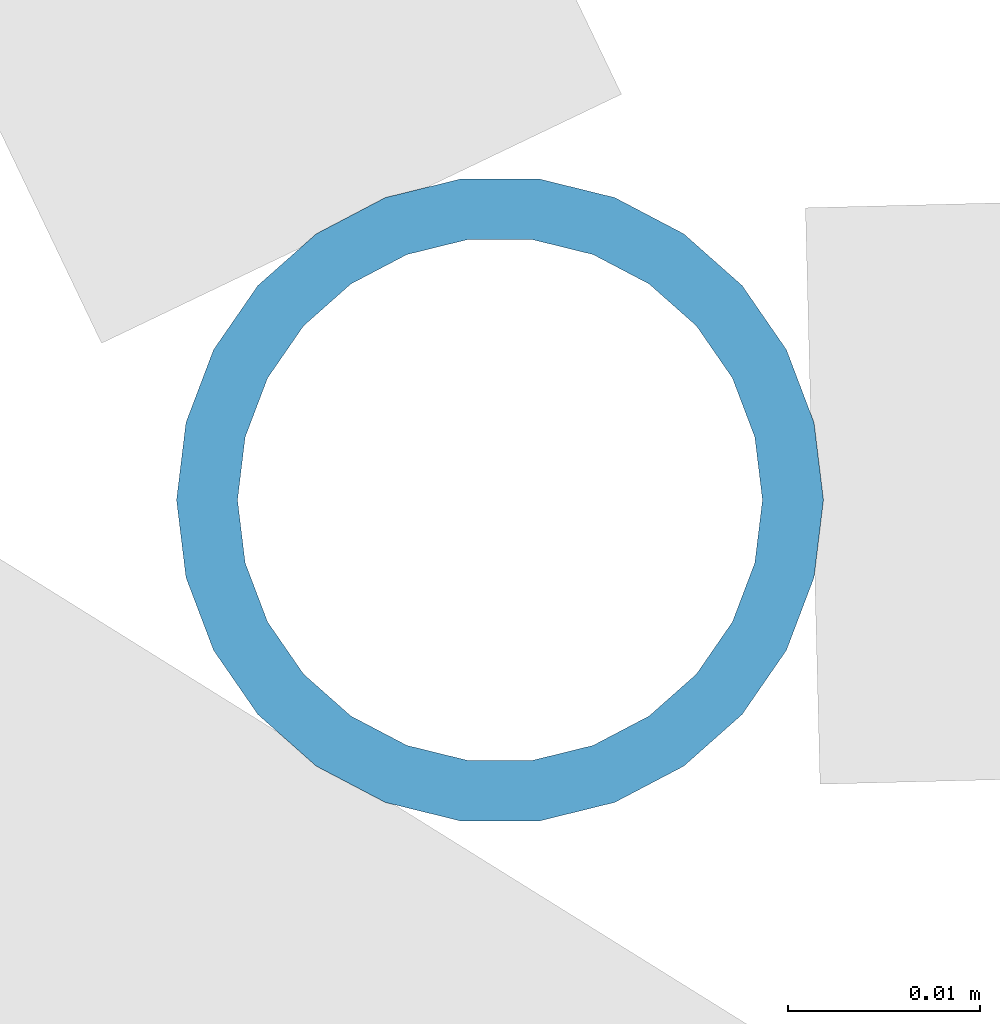
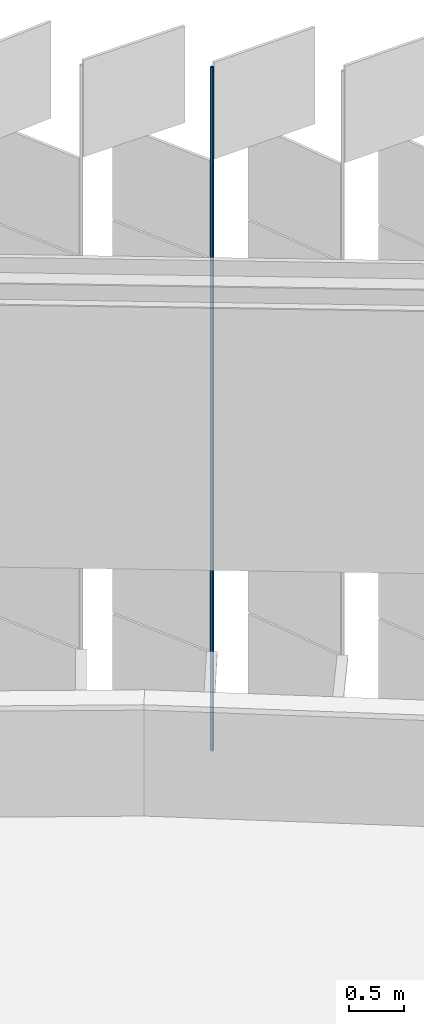
# One storey, part 409 of 483: 1 discrete accessory.
"""IFC4 building model written with IfcOpenShell, lengths in metres."""

from ifc_helpers import new_model, si_unit, direction, frame, origin, origin_2d, place, context, subcontext, project, spatial, hollow_circle, extrude, material, material_profile, profile_set, type_object, element, save


model = new_model("IFC4")

# Units and contexts
model_context = context("Model", 3, precision=1e-05, world=origin(), true_north=direction((0.0, 1.0)))
body_context = subcontext(model_context, "Body", "Model", "MODEL_VIEW")
ifc_project = project(units=[si_unit("LENGTHUNIT", "METRE"), si_unit("AREAUNIT", "SQUARE_METRE"), si_unit("VOLUMEUNIT", "CUBIC_METRE"), si_unit("PLANEANGLEUNIT", "RADIAN"), si_unit("MASSUNIT", "GRAM", prefix="KILO")], contexts=[model_context])

# Site, building, storey
site_placement = place(None, origin())
site = spatial("IfcSite", under=ifc_project, at=site_placement, CompositionType="ELEMENT")
building_placement = place(site_placement, origin())
building = spatial("IfcBuilding", under=site, at=building_placement, Name="Parallax Yard Mobility Hub", CompositionType="ELEMENT")
storey_placement = place(building_placement, frame((0.0, 0.0, 13.199951171875)))
storey = spatial("IfcBuildingStorey", under=building, at=storey_placement, Name="L04", CompositionType="ELEMENT", Elevation=13.199951171875)

# Discrete accessory
ifc_material = material(Name="Steel ASTM A500 Gr C, hot-dip galvanised", Category="steel")
ifc_material_profile = material_profile(ifc_material, hollow_circle(Radius=0.016845703125, WallThickness=0.003173828125, at=origin_2d()), Name="CHS 33.7x3.2")
ifc_profile_set = profile_set([ifc_material_profile], Name="Steel ASTM A500 Gr C, hot-dip galvanised")
discrete_accessory_type = type_object("IfcDiscreteAccessoryType", Name="Hinge post CHS 33.7x3.2", PredefinedType="BRACKET", material=ifc_profile_set)
discrete_accessory_placement = place(storey_placement, frame((200.865478515625, 135.147705078125, 0.0), z_axis=(0.0, 0.0, 1.0), x_axis=(1.0, 0.0, 0.0)))
element("IfcDiscreteAccessory", 1, at=discrete_accessory_placement, inside=storey, type_object=discrete_accessory_type, Name="Hinge post bay 47.4 level L04", PredefinedType="BRACKET", context=body_context, shape_type="SweptSolid", body=[
    extrude(hollow_circle(Radius=0.016845703125, WallThickness=0.003173828125, at=origin_2d()), origin(), (0.0, 0.0, 1.0), 7.650146484375),
])

save(model, "model.ifc")
